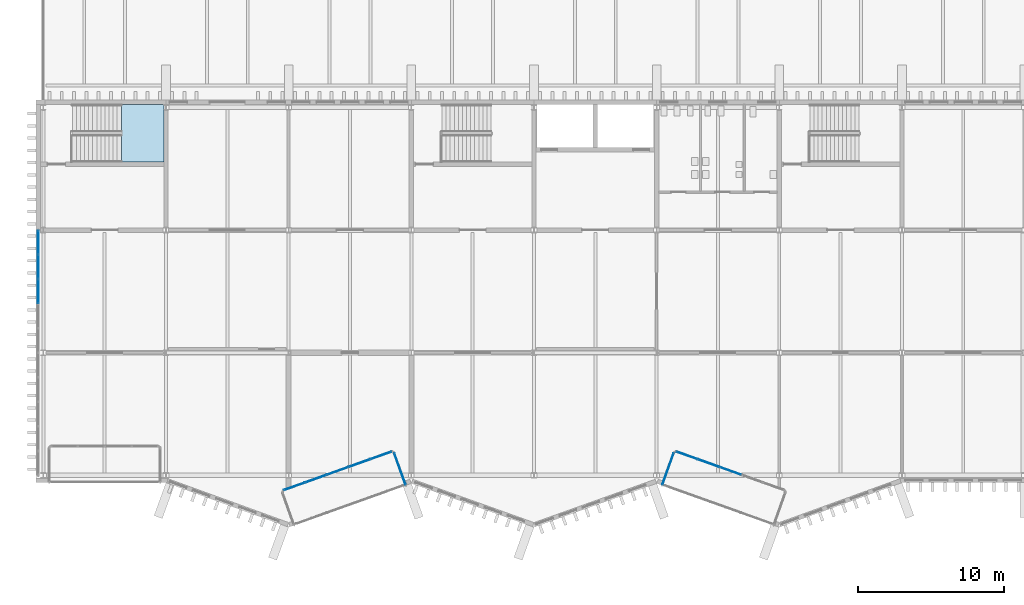
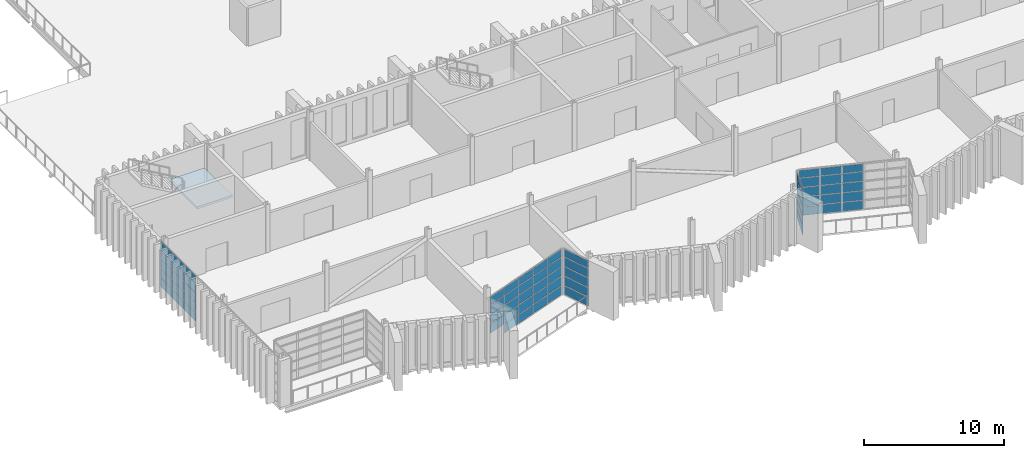
# One storey, part 46 of 96: 64 plates, 1 slab, 6 elements without a shape of their own.
"""IFC4 building model written with IfcOpenShell, lengths in metres."""

import ifcopenshell
import ifcopenshell.guid

model = None  # the IFC model being written
_history = None  # IfcOwnerHistory: only IFC2X3 demands one
_inside = {}  # id of a spatial element -> (the spatial element, [elements in it])
_under = {}  # id of a project, library or spatial element -> (it, [spatial elements below it])
_declared = {}  # id of a project -> (the project, [libraries it declares])
_typed = {}  # id of a type object -> (the type object, [elements of that type])
_made_of = {}  # id of a material, layer set ... -> (it, [elements and type objects made of it])


def new_model(schema):
    """Start an empty IFC model of exactly this schema.

    Asked for "IFC4X3", IfcOpenShell would pick the latest addendum, in which some entities
    have other attributes; the version numbers below select the first issue.
    IFC2X3 requires an IfcOwnerHistory on every rooted entity: one is made here for all.
    """
    global model, _history
    if schema == "IFC4X3":
        model = ifcopenshell.file(schema_version=(4, 3, 0, 0))
    else:
        model = ifcopenshell.file(schema=schema)
    _inside.clear()
    _under.clear()
    _declared.clear()
    _typed.clear()
    _made_of.clear()
    _history = None
    if model.schema == "IFC2X3":
        org = make("IfcOrganization", Name="unknown")
        user = make(
            "IfcPersonAndOrganization",
            ThePerson=make("IfcPerson", FamilyName="unknown"),
            TheOrganization=org,
        )
        app = make(
            "IfcApplication",
            ApplicationDeveloper=org,
            Version="unknown",
            ApplicationFullName="unknown",
            ApplicationIdentifier="unknown",
        )
        _history = make(
            "IfcOwnerHistory",
            OwningUser=user,
            OwningApplication=app,
            ChangeAction="ADDED",
            CreationDate=0,
        )
    return model


def make(cls, **values):
    """One entity of the class cls with the attributes given. An attribute that is None is left unset."""
    return model.create_entity(
        cls, **{name: value for name, value in values.items() if value is not None}
    )


def rooted(cls, **values):
    """An entity with a GlobalId (a new one), such as an element, a storey or a relation."""
    return make(cls, GlobalId=ifcopenshell.guid.new(), OwnerHistory=_history, **values)


def si_unit(unit_type, name, prefix=None):
    """IfcSIUnit, for example si_unit("LENGTHUNIT", "METRE", prefix="MILLI")."""
    return make("IfcSIUnit", UnitType=unit_type, Prefix=prefix, Name=name)


def assignment(units):
    """IfcUnitAssignment: the units of a project."""
    return None if units is None else make("IfcUnitAssignment", Units=units)


def point(xyz):
    """IfcCartesianPoint."""
    return None if xyz is None else make("IfcCartesianPoint", Coordinates=xyz)


def direction(xyz):
    """IfcDirection."""
    return None if xyz is None else make("IfcDirection", DirectionRatios=xyz)


def frame(location, z_axis=None, x_axis=None):
    """IfcAxis2Placement3D, a coordinate frame: its origin and axes. An axis left out is left unset."""
    return make(
        "IfcAxis2Placement3D",
        Location=point(location),
        Axis=direction(z_axis),
        RefDirection=direction(x_axis),
    )


def frame_2d(location, x_axis=None):
    """IfcAxis2Placement2D, a coordinate frame in the plane: its origin and x axis."""
    return make(
        "IfcAxis2Placement2D", Location=point(location), RefDirection=direction(x_axis)
    )


def origin():
    """The frame at (0, 0, 0) with its axes left unset."""
    return frame((0.0, 0.0, 0.0))


def origin_2d():
    """The frame at (0, 0) in the plane with its x axis left unset."""
    return frame_2d((0.0, 0.0))


def place(relative_to, where):
    """IfcLocalPlacement: puts the frame where relative to a parent placement (None: the world)."""
    return make(
        "IfcLocalPlacement", PlacementRelTo=relative_to, RelativePlacement=where
    )


def context(
    kind, dimensions, precision=None, world=None, true_north=None, identifier=None
):
    """IfcGeometricRepresentationContext, for example the 3D "Model" context."""
    return make(
        "IfcGeometricRepresentationContext",
        ContextIdentifier=identifier,
        ContextType=kind,
        CoordinateSpaceDimension=dimensions,
        Precision=precision,
        WorldCoordinateSystem=world,
        TrueNorth=true_north,
    )


def subcontext(parent, identifier, kind, view, scale=None):
    """IfcGeometricRepresentationSubContext, for example "Body" below "Model"."""
    return make(
        "IfcGeometricRepresentationSubContext",
        ContextIdentifier=identifier,
        ContextType=kind,
        ParentContext=parent,
        TargetScale=scale,
        TargetView=view,
    )


def project(units=None, contexts=None):
    """IfcProject with its units and contexts."""
    return rooted(
        "IfcProject",
        Name="project",
        RepresentationContexts=contexts,
        UnitsInContext=assignment(units),
    )


def spatial(cls, under=None, at=None, **own):
    """A site, building, storey or space (cls), placed at a placement, below another one or the project."""
    s = rooted(cls, ObjectPlacement=at, **own)
    if under is not None:
        _under.setdefault(under.id(), (under, []))[1].append(s)
    return s


def polyline(points):
    """IfcPolyline through the points."""
    return make("IfcPolyline", Points=[point(p) for p in points])


def profile(cls, at=None, kind="AREA", **sizes):
    """A parametric profile (cls). Its sizes go by their IFC names, for example OverallWidth=200.0."""
    return make(cls, ProfileType=kind, Position=at, **sizes)


def rectangle(**sizes):
    """IfcRectangleProfileDef."""
    return profile("IfcRectangleProfileDef", **sizes)


def outline(outer, holes=None, kind="AREA"):
    """IfcArbitraryClosedProfileDef: a profile drawn as a closed curve; with holes, ...WithVoids."""
    if holes is None:
        return make("IfcArbitraryClosedProfileDef", ProfileType=kind, OuterCurve=outer)
    return make(
        "IfcArbitraryProfileDefWithVoids",
        ProfileType=kind,
        OuterCurve=outer,
        InnerCurves=holes,
    )


def extrude(swept, where, along, depth):
    """IfcExtrudedAreaSolid: the profile swept, set in the frame where, extruded along a direction by depth."""
    return make(
        "IfcExtrudedAreaSolid",
        SweptArea=swept,
        Position=where,
        ExtrudedDirection=direction(along),
        Depth=depth,
    )


def shape(context_of_items, identifier, shape_type, items):
    """IfcShapeRepresentation: the items that make up one representation, for example the "Body"."""
    return make(
        "IfcShapeRepresentation",
        ContextOfItems=context_of_items,
        RepresentationIdentifier=identifier,
        RepresentationType=shape_type,
        Items=items,
    )


def material(Name=None, Category=None):
    """IfcMaterial."""
    return make("IfcMaterial", Name=Name, Category=Category)


def layer(
    of_material, thickness, ventilated=None, Name=None, Category=None, Priority=None
):
    """IfcMaterialLayer: one layer of a wall or slab, of a material (None: an air gap)."""
    return make(
        "IfcMaterialLayer",
        Material=of_material,
        LayerThickness=thickness,
        IsVentilated=ventilated,
        Name=Name,
        Category=Category,
        Priority=Priority,
    )


def layer_set(layers, Name=None):
    """IfcMaterialLayerSet."""
    return make("IfcMaterialLayerSet", MaterialLayers=layers, LayerSetName=Name)


def made_of(thing, what):
    """Note that an element or type object is made of a material, layer set ...; save() writes the relation."""
    if what is not None:
        _made_of.setdefault(what.id(), (what, []))[1].append(thing)
    return thing


def type_object(cls, material=None, **own):
    """A type object (cls), such as IfcWallType, which elements share."""
    return made_of(rooted(cls, **own), material)


def element(
    cls,
    number,
    at=None,
    inside=None,
    cuts=None,
    type_object=None,
    material=None,
    context=None,
    identifier="Body",
    shape_type=None,
    held_by="IfcProductDefinitionShape",
    body=None,
    shapes=None,
    **own,
):
    """One element of the class cls, such as IfcWall. Its Tag is "e" and its number.

    at: its placement. inside: the storey or other place that contains it. cuts: it is an
    opening in that element (IfcRelVoidsElement). A single representation is given by context,
    identifier, shape_type and body (its items); several are given by shapes. held_by: the class
    of the entity that holds the representations. save() writes the other relations.
    """
    e = rooted(cls, Tag="e%d" % number, ObjectPlacement=at, **own)
    if body is not None:
        shapes = [shape(context, identifier, shape_type, body)]
    if shapes is not None:
        e.Representation = make(held_by, Representations=shapes)
    if inside is not None:
        _inside.setdefault(inside.id(), (inside, []))[1].append(e)
    if cuts is not None:
        rooted(
            "IfcRelVoidsElement", RelatingBuildingElement=cuts, RelatedOpeningElement=e
        )
    if type_object is not None:
        _typed.setdefault(type_object.id(), (type_object, []))[1].append(e)
    return made_of(e, material)


def aggregate(whole, parts):
    """IfcRelAggregates: a whole, such as a stair, and the parts it consists of."""
    return rooted("IfcRelAggregates", RelatingObject=whole, RelatedObjects=parts)


def save(model, path):
    """Write the relations noted so far, then the file.

    IfcRelAggregates (storeys below a building ...), IfcRelContainedInSpatialStructure (elements
    in a storey), IfcRelDefinesByType, IfcRelAssociatesMaterial and IfcRelDeclares: one each for
    every whole, place, type object, material and project.
    """
    for whole, parts in _under.values():
        aggregate(whole, parts)
    for where, things in _inside.values():
        rooted(
            "IfcRelContainedInSpatialStructure",
            RelatedElements=things,
            RelatingStructure=where,
        )
    for kind, things in _typed.values():
        rooted("IfcRelDefinesByType", RelatedObjects=things, RelatingType=kind)
    for what, things in _made_of.values():
        rooted("IfcRelAssociatesMaterial", RelatedObjects=things, RelatingMaterial=what)
    for by, libraries in _declared.values():
        rooted("IfcRelDeclares", RelatingContext=by, RelatedDefinitions=libraries)
    model.write(path)


model = new_model("IFC4")

# Units and contexts
model_context = context("Model", 3, precision=1e-05, world=origin(), true_north=direction((0.0, 1.0)))
body_context = subcontext(model_context, "Body", "Model", "MODEL_VIEW")
ifc_project = project(units=[si_unit("LENGTHUNIT", "METRE"), si_unit("AREAUNIT", "SQUARE_METRE"), si_unit("VOLUMEUNIT", "CUBIC_METRE"), si_unit("PLANEANGLEUNIT", "RADIAN"), si_unit("MASSUNIT", "GRAM", prefix="KILO")], contexts=[model_context])

# Site, building, storey
site_placement = place(None, origin())
site = spatial("IfcSite", under=ifc_project, at=site_placement, CompositionType="ELEMENT")
building_placement = place(site_placement, origin())
building = spatial("IfcBuilding", under=site, at=building_placement, Name="Cresset Court Congress Hotel", CompositionType="ELEMENT")
storey_placement = place(building_placement, frame((0.0, 0.0, 6.0)))
storey = spatial("IfcBuildingStorey", under=building, at=storey_placement, Name="L01", CompositionType="ELEMENT", Elevation=6.0)

# Curtain wall, plates
ifc_material_1 = material(Name="Aluminium frame with double glazing", Category="aluminium")
ifc_layer_1 = layer(ifc_material_1, 0.199951171875)
ifc_layer_set_1 = layer_set([ifc_layer_1], Name="Glazed box curtain wall 1680 module")
curtain_wall_type = type_object("IfcCurtainWallType", Name="Glazed box curtain wall 1680 module", PredefinedType="NOTDEFINED", material=ifc_layer_set_1)
curtain_wall_1_placement = place(storey_placement, origin())
curtain_wall_1 = element("IfcCurtainWall", 1, at=curtain_wall_1_placement, inside=storey, type_object=curtain_wall_type, Name="Glazed box S0103 front", PredefinedType="NOTDEFINED")
ifc_material_2 = material(Name="Toughened double glazing", Category="glass")
ifc_layer_2 = layer(ifc_material_2, 0.028076171875)
ifc_layer_set_2 = layer_set([ifc_layer_2], Name="Box glass panel 28")
plate_type_1 = type_object("IfcPlateType", Name="Box glass panel 28", PredefinedType="CURTAIN_PANEL", material=ifc_layer_set_2)
plate_1_placement = place(storey_placement, frame((25.590087890625, -0.756103515625, 0.860107421875), z_axis=(0.0, 0.0, 1.0), x_axis=(0.941741911601, 0.336336396981, 0.0)))
plate_1 = element("IfcPlate", 2, at=plate_1_placement, type_object=plate_type_1, Name="B-X1 panel 1.2", PredefinedType="CURTAIN_PANEL", context=body_context, shape_type="SweptSolid", body=[
    extrude(rectangle(XDim=1.493896484375, YDim=0.028076171875, at=origin_2d()), origin(), (0.0, 0.0, 1.0), 0.77001953125),
])
plate_2_placement = place(storey_placement, frame((25.590087890625, -0.756103515625, 1.68994140625), z_axis=(0.0, 0.0, 1.0), x_axis=(0.941741911601, 0.336336396981, 0.0)))
plate_2 = element("IfcPlate", 3, at=plate_2_placement, type_object=plate_type_1, Name="B-X1 panel 1.3", PredefinedType="CURTAIN_PANEL", context=body_context, shape_type="SweptSolid", body=[
    extrude(rectangle(XDim=1.493896484375, YDim=0.028076171875, at=origin_2d()), origin(), (0.0, 0.0, 1.0), 0.77001953125),
])
plate_3_placement = place(storey_placement, frame((25.590087890625, -0.756103515625, 2.52001953125), z_axis=(0.0, 0.0, 1.0), x_axis=(0.941741911601, 0.336336396981, 0.0)))
plate_3 = element("IfcPlate", 4, at=plate_3_placement, type_object=plate_type_1, Name="B-X1 panel 1.4", PredefinedType="CURTAIN_PANEL", context=body_context, shape_type="SweptSolid", body=[
    extrude(rectangle(XDim=1.493896484375, YDim=0.028076171875, at=origin_2d()), origin(), (0.0, 0.0, 1.0), 0.77001953125),
])
plate_4_placement = place(storey_placement, frame((27.067626953125, -0.228271484375, 0.06005859375), z_axis=(0.0, 0.0, 1.0), x_axis=(0.941741911601, 0.336336396981, 0.0)))
plate_4 = element("IfcPlate", 5, at=plate_4_placement, type_object=plate_type_1, Name="B-X1 panel 2.1", PredefinedType="CURTAIN_PANEL", context=body_context, shape_type="SweptSolid", body=[
    extrude(rectangle(XDim=1.52392578125, YDim=0.028076171875, at=origin_2d()), origin(), (0.0, 0.0, 1.0), 0.739990234375),
])
plate_5_placement = place(storey_placement, frame((27.067626953125, -0.228271484375, 0.860107421875), z_axis=(0.0, 0.0, 1.0), x_axis=(0.941741911601, 0.336336396981, 0.0)))
plate_5 = element("IfcPlate", 6, at=plate_5_placement, type_object=plate_type_1, Name="B-X1 panel 2.2", PredefinedType="CURTAIN_PANEL", context=body_context, shape_type="SweptSolid", body=[
    extrude(rectangle(XDim=1.52392578125, YDim=0.028076171875, at=origin_2d()), origin(), (0.0, 0.0, 1.0), 0.77001953125),
])
plate_6_placement = place(storey_placement, frame((27.067626953125, -0.228271484375, 1.68994140625), z_axis=(0.0, 0.0, 1.0), x_axis=(0.941741911601, 0.336336396981, 0.0)))
plate_6 = element("IfcPlate", 7, at=plate_6_placement, type_object=plate_type_1, Name="B-X1 panel 2.3", PredefinedType="CURTAIN_PANEL", context=body_context, shape_type="SweptSolid", body=[
    extrude(rectangle(XDim=1.52392578125, YDim=0.028076171875, at=origin_2d()), origin(), (0.0, 0.0, 1.0), 0.77001953125),
])
plate_7_placement = place(storey_placement, frame((27.067626953125, -0.228271484375, 2.52001953125), z_axis=(0.0, 0.0, 1.0), x_axis=(0.941741911601, 0.336336396981, 0.0)))
plate_7 = element("IfcPlate", 8, at=plate_7_placement, type_object=plate_type_1, Name="B-X1 panel 2.4", PredefinedType="CURTAIN_PANEL", context=body_context, shape_type="SweptSolid", body=[
    extrude(rectangle(XDim=1.52392578125, YDim=0.028076171875, at=origin_2d()), origin(), (0.0, 0.0, 1.0), 0.77001953125),
])
plate_8_placement = place(storey_placement, frame((28.55908203125, 0.304443359375, 0.06005859375), z_axis=(0.0, 0.0, 1.0), x_axis=(0.941741911601, 0.336336396981, 0.0)))
plate_8 = element("IfcPlate", 9, at=plate_8_placement, type_object=plate_type_1, Name="B-X1 panel 3.1", PredefinedType="CURTAIN_PANEL", context=body_context, shape_type="SweptSolid", body=[
    extrude(rectangle(XDim=1.52392578125, YDim=0.028076171875, at=origin_2d()), origin(), (0.0, 0.0, 1.0), 0.739990234375),
])
plate_9_placement = place(storey_placement, frame((28.55908203125, 0.304443359375, 0.860107421875), z_axis=(0.0, 0.0, 1.0), x_axis=(0.941741911601, 0.336336396981, 0.0)))
plate_9 = element("IfcPlate", 10, at=plate_9_placement, type_object=plate_type_1, Name="B-X1 panel 3.2", PredefinedType="CURTAIN_PANEL", context=body_context, shape_type="SweptSolid", body=[
    extrude(rectangle(XDim=1.52392578125, YDim=0.028076171875, at=origin_2d()), origin(), (0.0, 0.0, 1.0), 0.77001953125),
])
plate_10_placement = place(storey_placement, frame((28.55908203125, 0.304443359375, 1.68994140625), z_axis=(0.0, 0.0, 1.0), x_axis=(0.941741911601, 0.336336396981, 0.0)))
plate_10 = element("IfcPlate", 11, at=plate_10_placement, type_object=plate_type_1, Name="B-X1 panel 3.3", PredefinedType="CURTAIN_PANEL", context=body_context, shape_type="SweptSolid", body=[
    extrude(rectangle(XDim=1.52392578125, YDim=0.028076171875, at=origin_2d()), origin(), (0.0, 0.0, 1.0), 0.77001953125),
])
plate_11_placement = place(storey_placement, frame((28.55908203125, 0.304443359375, 2.52001953125), z_axis=(0.0, 0.0, 1.0), x_axis=(0.941741911601, 0.336336396981, 0.0)))
plate_11 = element("IfcPlate", 12, at=plate_11_placement, type_object=plate_type_1, Name="B-X1 panel 3.4", PredefinedType="CURTAIN_PANEL", context=body_context, shape_type="SweptSolid", body=[
    extrude(rectangle(XDim=1.52392578125, YDim=0.028076171875, at=origin_2d()), origin(), (0.0, 0.0, 1.0), 0.77001953125),
])
plate_12_placement = place(storey_placement, frame((30.05078125, 0.837158203125, 0.06005859375), z_axis=(0.0, 0.0, 1.0), x_axis=(0.941741911601, 0.336336396981, 0.0)))
plate_12 = element("IfcPlate", 13, at=plate_12_placement, type_object=plate_type_1, Name="B-X1 panel 4.1", PredefinedType="CURTAIN_PANEL", context=body_context, shape_type="SweptSolid", body=[
    extrude(rectangle(XDim=1.52392578125, YDim=0.028076171875, at=origin_2d()), origin(), (0.0, 0.0, 1.0), 0.739990234375),
])
plate_13_placement = place(storey_placement, frame((30.05078125, 0.837158203125, 0.860107421875), z_axis=(0.0, 0.0, 1.0), x_axis=(0.941741911601, 0.336336396981, 0.0)))
plate_13 = element("IfcPlate", 14, at=plate_13_placement, type_object=plate_type_1, Name="B-X1 panel 4.2", PredefinedType="CURTAIN_PANEL", context=body_context, shape_type="SweptSolid", body=[
    extrude(rectangle(XDim=1.52392578125, YDim=0.028076171875, at=origin_2d()), origin(), (0.0, 0.0, 1.0), 0.77001953125),
])
plate_14_placement = place(storey_placement, frame((30.05078125, 0.837158203125, 1.68994140625), z_axis=(0.0, 0.0, 1.0), x_axis=(0.941741911601, 0.336336396981, 0.0)))
plate_14 = element("IfcPlate", 15, at=plate_14_placement, type_object=plate_type_1, Name="B-X1 panel 4.3", PredefinedType="CURTAIN_PANEL", context=body_context, shape_type="SweptSolid", body=[
    extrude(rectangle(XDim=1.52392578125, YDim=0.028076171875, at=origin_2d()), origin(), (0.0, 0.0, 1.0), 0.77001953125),
])
plate_15_placement = place(storey_placement, frame((30.05078125, 0.837158203125, 2.52001953125), z_axis=(0.0, 0.0, 1.0), x_axis=(0.941741911601, 0.336336396981, 0.0)))
plate_15 = element("IfcPlate", 16, at=plate_15_placement, type_object=plate_type_1, Name="B-X1 panel 4.4", PredefinedType="CURTAIN_PANEL", context=body_context, shape_type="SweptSolid", body=[
    extrude(rectangle(XDim=1.52392578125, YDim=0.028076171875, at=origin_2d()), origin(), (0.0, 0.0, 1.0), 0.77001953125),
])
plate_16_placement = place(storey_placement, frame((31.5283203125, 1.36474609375, 0.06005859375), z_axis=(0.0, 0.0, 1.0), x_axis=(0.941741911601, 0.336336396981, 0.0)))
plate_16 = element("IfcPlate", 17, at=plate_16_placement, type_object=plate_type_1, Name="B-X1 panel 5.1", PredefinedType="CURTAIN_PANEL", context=body_context, shape_type="SweptSolid", body=[
    extrude(rectangle(XDim=1.493896484375, YDim=0.028076171875, at=origin_2d()), origin(), (0.0, 0.0, 1.0), 0.739990234375),
])
plate_17_placement = place(storey_placement, frame((31.5283203125, 1.36474609375, 0.860107421875), z_axis=(0.0, 0.0, 1.0), x_axis=(0.941741911601, 0.336336396981, 0.0)))
plate_17 = element("IfcPlate", 18, at=plate_17_placement, type_object=plate_type_1, Name="B-X1 panel 5.2", PredefinedType="CURTAIN_PANEL", context=body_context, shape_type="SweptSolid", body=[
    extrude(rectangle(XDim=1.493896484375, YDim=0.028076171875, at=origin_2d()), origin(), (0.0, 0.0, 1.0), 0.77001953125),
])
plate_18_placement = place(storey_placement, frame((31.5283203125, 1.36474609375, 1.68994140625), z_axis=(0.0, 0.0, 1.0), x_axis=(0.941741911601, 0.336336396981, 0.0)))
plate_18 = element("IfcPlate", 19, at=plate_18_placement, type_object=plate_type_1, Name="B-X1 panel 5.3", PredefinedType="CURTAIN_PANEL", context=body_context, shape_type="SweptSolid", body=[
    extrude(rectangle(XDim=1.493896484375, YDim=0.028076171875, at=origin_2d()), origin(), (0.0, 0.0, 1.0), 0.77001953125),
])
plate_19_placement = place(storey_placement, frame((31.5283203125, 1.36474609375, 2.52001953125), z_axis=(0.0, 0.0, 1.0), x_axis=(0.941741911601, 0.336336396981, 0.0)))
plate_19 = element("IfcPlate", 20, at=plate_19_placement, type_object=plate_type_1, Name="B-X1 panel 5.4", PredefinedType="CURTAIN_PANEL", context=body_context, shape_type="SweptSolid", body=[
    extrude(rectangle(XDim=1.493896484375, YDim=0.028076171875, at=origin_2d()), origin(), (0.0, 0.0, 1.0), 0.77001953125),
])

curtain_wall_2_placement = place(storey_placement, origin())
curtain_wall_2 = element("IfcCurtainWall", 21, at=curtain_wall_2_placement, inside=storey, type_object=curtain_wall_type, Name="Glazed box S0103 side", PredefinedType="NOTDEFINED")
plate_20_placement = place(storey_placement, frame((32.819580078125, 0.445556640625, 0.06005859375), z_axis=(0.0, 0.0, 1.0), x_axis=(-0.336336396685, 0.941741911707, 0.0)))
plate_20 = element("IfcPlate", 22, at=plate_20_placement, type_object=plate_type_1, Name="B-X1 panel 1.1", PredefinedType="CURTAIN_PANEL", context=body_context, shape_type="SweptSolid", body=[
    extrude(rectangle(XDim=2.280029296875, YDim=0.028076171875, at=origin_2d()), origin(), (0.0, 0.0, 1.0), 0.739990234375),
])
plate_21_placement = place(storey_placement, frame((32.819580078125, 0.445556640625, 0.860107421875), z_axis=(0.0, 0.0, 1.0), x_axis=(-0.336336396685, 0.941741911707, 0.0)))
plate_21 = element("IfcPlate", 23, at=plate_21_placement, type_object=plate_type_1, Name="B-X1 panel 1.2", PredefinedType="CURTAIN_PANEL", context=body_context, shape_type="SweptSolid", body=[
    extrude(rectangle(XDim=2.280029296875, YDim=0.028076171875, at=origin_2d()), origin(), (0.0, 0.0, 1.0), 0.77001953125),
])
plate_22_placement = place(storey_placement, frame((32.819580078125, 0.445556640625, 1.68994140625), z_axis=(0.0, 0.0, 1.0), x_axis=(-0.336336396685, 0.941741911707, 0.0)))
plate_22 = element("IfcPlate", 24, at=plate_22_placement, type_object=plate_type_1, Name="B-X1 panel 1.3", PredefinedType="CURTAIN_PANEL", context=body_context, shape_type="SweptSolid", body=[
    extrude(rectangle(XDim=2.280029296875, YDim=0.028076171875, at=origin_2d()), origin(), (0.0, 0.0, 1.0), 0.77001953125),
])
plate_23_placement = place(storey_placement, frame((32.819580078125, 0.445556640625, 2.52001953125), z_axis=(0.0, 0.0, 1.0), x_axis=(-0.336336396685, 0.941741911707, 0.0)))
plate_23 = element("IfcPlate", 25, at=plate_23_placement, type_object=plate_type_1, Name="B-X1 panel 1.4", PredefinedType="CURTAIN_PANEL", context=body_context, shape_type="SweptSolid", body=[
    extrude(rectangle(XDim=2.280029296875, YDim=0.028076171875, at=origin_2d()), origin(), (0.0, 0.0, 1.0), 0.77001953125),
])

curtain_wall_3_placement = place(storey_placement, origin())
curtain_wall_3 = element("IfcCurtainWall", 26, at=curtain_wall_3_placement, inside=storey, type_object=curtain_wall_type, Name="Glazed box S0106 front", PredefinedType="NOTDEFINED")
plate_24_placement = place(storey_placement, frame((52.4716796875, 1.36474609375, 0.06005859375), z_axis=(0.0, 0.0, 1.0), x_axis=(0.941741911601, -0.336336396981, 0.0)))
plate_24 = element("IfcPlate", 27, at=plate_24_placement, type_object=plate_type_1, Name="B-X1 panel 1.1", PredefinedType="CURTAIN_PANEL", context=body_context, shape_type="SweptSolid", body=[
    extrude(rectangle(XDim=1.493896484375, YDim=0.028076171875, at=origin_2d()), origin(), (0.0, 0.0, 1.0), 0.739990234375),
])
plate_25_placement = place(storey_placement, frame((52.4716796875, 1.36474609375, 0.860107421875), z_axis=(0.0, 0.0, 1.0), x_axis=(0.941741911601, -0.336336396981, 0.0)))
plate_25 = element("IfcPlate", 28, at=plate_25_placement, type_object=plate_type_1, Name="B-X1 panel 1.2", PredefinedType="CURTAIN_PANEL", context=body_context, shape_type="SweptSolid", body=[
    extrude(rectangle(XDim=1.493896484375, YDim=0.028076171875, at=origin_2d()), origin(), (0.0, 0.0, 1.0), 0.77001953125),
])
plate_26_placement = place(storey_placement, frame((52.4716796875, 1.36474609375, 1.68994140625), z_axis=(0.0, 0.0, 1.0), x_axis=(0.941741911601, -0.336336396981, 0.0)))
plate_26 = element("IfcPlate", 29, at=plate_26_placement, type_object=plate_type_1, Name="B-X1 panel 1.3", PredefinedType="CURTAIN_PANEL", context=body_context, shape_type="SweptSolid", body=[
    extrude(rectangle(XDim=1.493896484375, YDim=0.028076171875, at=origin_2d()), origin(), (0.0, 0.0, 1.0), 0.77001953125),
])
plate_27_placement = place(storey_placement, frame((52.4716796875, 1.36474609375, 2.52001953125), z_axis=(0.0, 0.0, 1.0), x_axis=(0.941741911601, -0.336336396981, 0.0)))
plate_27 = element("IfcPlate", 30, at=plate_27_placement, type_object=plate_type_1, Name="B-X1 panel 1.4", PredefinedType="CURTAIN_PANEL", context=body_context, shape_type="SweptSolid", body=[
    extrude(rectangle(XDim=1.493896484375, YDim=0.028076171875, at=origin_2d()), origin(), (0.0, 0.0, 1.0), 0.77001953125),
])
plate_28_placement = place(storey_placement, frame((53.94921875, 0.837158203125, 0.06005859375), z_axis=(0.0, 0.0, 1.0), x_axis=(0.941741911601, -0.336336396981, 0.0)))
plate_28 = element("IfcPlate", 31, at=plate_28_placement, type_object=plate_type_1, Name="B-X1 panel 2.1", PredefinedType="CURTAIN_PANEL", context=body_context, shape_type="SweptSolid", body=[
    extrude(rectangle(XDim=1.52392578125, YDim=0.028076171875, at=origin_2d()), origin(), (0.0, 0.0, 1.0), 0.739990234375),
])
plate_29_placement = place(storey_placement, frame((53.94921875, 0.837158203125, 0.860107421875), z_axis=(0.0, 0.0, 1.0), x_axis=(0.941741911601, -0.336336396981, 0.0)))
plate_29 = element("IfcPlate", 32, at=plate_29_placement, type_object=plate_type_1, Name="B-X1 panel 2.2", PredefinedType="CURTAIN_PANEL", context=body_context, shape_type="SweptSolid", body=[
    extrude(rectangle(XDim=1.52392578125, YDim=0.028076171875, at=origin_2d()), origin(), (0.0, 0.0, 1.0), 0.77001953125),
])
plate_30_placement = place(storey_placement, frame((53.94921875, 0.837158203125, 1.68994140625), z_axis=(0.0, 0.0, 1.0), x_axis=(0.941741911601, -0.336336396981, 0.0)))
plate_30 = element("IfcPlate", 33, at=plate_30_placement, type_object=plate_type_1, Name="B-X1 panel 2.3", PredefinedType="CURTAIN_PANEL", context=body_context, shape_type="SweptSolid", body=[
    extrude(rectangle(XDim=1.52392578125, YDim=0.028076171875, at=origin_2d()), origin(), (0.0, 0.0, 1.0), 0.77001953125),
])
plate_31_placement = place(storey_placement, frame((53.94921875, 0.837158203125, 2.52001953125), z_axis=(0.0, 0.0, 1.0), x_axis=(0.941741911601, -0.336336396981, 0.0)))
plate_31 = element("IfcPlate", 34, at=plate_31_placement, type_object=plate_type_1, Name="B-X1 panel 2.4", PredefinedType="CURTAIN_PANEL", context=body_context, shape_type="SweptSolid", body=[
    extrude(rectangle(XDim=1.52392578125, YDim=0.028076171875, at=origin_2d()), origin(), (0.0, 0.0, 1.0), 0.77001953125),
])
plate_32_placement = place(storey_placement, frame((55.44091796875, 0.304443359375, 0.06005859375), z_axis=(0.0, 0.0, 1.0), x_axis=(0.941741911601, -0.336336396981, 0.0)))
plate_32 = element("IfcPlate", 35, at=plate_32_placement, type_object=plate_type_1, Name="B-X1 panel 3.1", PredefinedType="CURTAIN_PANEL", context=body_context, shape_type="SweptSolid", body=[
    extrude(rectangle(XDim=1.52392578125, YDim=0.028076171875, at=origin_2d()), origin(), (0.0, 0.0, 1.0), 0.739990234375),
])
plate_33_placement = place(storey_placement, frame((55.44091796875, 0.304443359375, 0.860107421875), z_axis=(0.0, 0.0, 1.0), x_axis=(0.941741911601, -0.336336396981, 0.0)))
plate_33 = element("IfcPlate", 36, at=plate_33_placement, type_object=plate_type_1, Name="B-X1 panel 3.2", PredefinedType="CURTAIN_PANEL", context=body_context, shape_type="SweptSolid", body=[
    extrude(rectangle(XDim=1.52392578125, YDim=0.028076171875, at=origin_2d()), origin(), (0.0, 0.0, 1.0), 0.77001953125),
])
plate_34_placement = place(storey_placement, frame((55.44091796875, 0.304443359375, 1.68994140625), z_axis=(0.0, 0.0, 1.0), x_axis=(0.941741911601, -0.336336396981, 0.0)))
plate_34 = element("IfcPlate", 37, at=plate_34_placement, type_object=plate_type_1, Name="B-X1 panel 3.3", PredefinedType="CURTAIN_PANEL", context=body_context, shape_type="SweptSolid", body=[
    extrude(rectangle(XDim=1.52392578125, YDim=0.028076171875, at=origin_2d()), origin(), (0.0, 0.0, 1.0), 0.77001953125),
])
plate_35_placement = place(storey_placement, frame((55.44091796875, 0.304443359375, 2.52001953125), z_axis=(0.0, 0.0, 1.0), x_axis=(0.941741911601, -0.336336396981, 0.0)))
plate_35 = element("IfcPlate", 38, at=plate_35_placement, type_object=plate_type_1, Name="B-X1 panel 3.4", PredefinedType="CURTAIN_PANEL", context=body_context, shape_type="SweptSolid", body=[
    extrude(rectangle(XDim=1.52392578125, YDim=0.028076171875, at=origin_2d()), origin(), (0.0, 0.0, 1.0), 0.77001953125),
])

curtain_wall_4_placement = place(storey_placement, origin())
curtain_wall_4 = element("IfcCurtainWall", 39, at=curtain_wall_4_placement, inside=storey, type_object=curtain_wall_type, Name="Glazed box S0106 side", PredefinedType="NOTDEFINED")
plate_36_placement = place(storey_placement, frame((51.180419921875, 0.445556640625, 0.06005859375), z_axis=(0.0, 0.0, 1.0), x_axis=(0.336336396685, 0.941741911707, 0.0)))
plate_36 = element("IfcPlate", 40, at=plate_36_placement, type_object=plate_type_1, Name="B-X1 panel 1.1", PredefinedType="CURTAIN_PANEL", context=body_context, shape_type="SweptSolid", body=[
    extrude(rectangle(XDim=2.280029296875, YDim=0.028076171875, at=origin_2d()), origin(), (0.0, 0.0, 1.0), 0.739990234375),
])
plate_37_placement = place(storey_placement, frame((51.180419921875, 0.445556640625, 0.860107421875), z_axis=(0.0, 0.0, 1.0), x_axis=(0.336336396685, 0.941741911707, 0.0)))
plate_37 = element("IfcPlate", 41, at=plate_37_placement, type_object=plate_type_1, Name="B-X1 panel 1.2", PredefinedType="CURTAIN_PANEL", context=body_context, shape_type="SweptSolid", body=[
    extrude(rectangle(XDim=2.280029296875, YDim=0.028076171875, at=origin_2d()), origin(), (0.0, 0.0, 1.0), 0.77001953125),
])
plate_38_placement = place(storey_placement, frame((51.180419921875, 0.445556640625, 1.68994140625), z_axis=(0.0, 0.0, 1.0), x_axis=(0.336336396685, 0.941741911707, 0.0)))
plate_38 = element("IfcPlate", 42, at=plate_38_placement, type_object=plate_type_1, Name="B-X1 panel 1.3", PredefinedType="CURTAIN_PANEL", context=body_context, shape_type="SweptSolid", body=[
    extrude(rectangle(XDim=2.280029296875, YDim=0.028076171875, at=origin_2d()), origin(), (0.0, 0.0, 1.0), 0.77001953125),
])
plate_39_placement = place(storey_placement, frame((51.180419921875, 0.445556640625, 2.52001953125), z_axis=(0.0, 0.0, 1.0), x_axis=(0.336336396685, 0.941741911707, 0.0)))
plate_39 = element("IfcPlate", 43, at=plate_39_placement, type_object=plate_type_1, Name="B-X1 panel 1.4", PredefinedType="CURTAIN_PANEL", context=body_context, shape_type="SweptSolid", body=[
    extrude(rectangle(XDim=2.280029296875, YDim=0.028076171875, at=origin_2d()), origin(), (0.0, 0.0, 1.0), 0.77001953125),
])

curtain_wall_5_placement = place(storey_placement, origin())
curtain_wall_5 = element("IfcCurtainWall", 44, at=curtain_wall_5_placement, inside=storey, type_object=curtain_wall_type, Name="Foyer glazed front L01", PredefinedType="NOTDEFINED")
plate_40_placement = place(storey_placement, frame((8.050048828125, 12.60009765625, 0.06005859375), z_axis=(0.0, 0.0, 1.0), x_axis=(0.0, 1.0, 0.0)))
plate_40 = element("IfcPlate", 45, at=plate_40_placement, type_object=plate_type_1, Name="B-X1 panel 8.1", PredefinedType="CURTAIN_PANEL", context=body_context, shape_type="SweptSolid", body=[
    extrude(rectangle(XDim=1.6201171875, YDim=0.028076171875, at=origin_2d()), origin(), (0.0, 0.0, 1.0), 0.739990234375),
])
plate_41_placement = place(storey_placement, frame((8.050048828125, 12.60009765625, 0.860107421875), z_axis=(0.0, 0.0, 1.0), x_axis=(0.0, 1.0, 0.0)))
plate_41 = element("IfcPlate", 46, at=plate_41_placement, type_object=plate_type_1, Name="B-X1 panel 8.2", PredefinedType="CURTAIN_PANEL", context=body_context, shape_type="SweptSolid", body=[
    extrude(rectangle(XDim=1.6201171875, YDim=0.028076171875, at=origin_2d()), origin(), (0.0, 0.0, 1.0), 0.77001953125),
])
plate_42_placement = place(storey_placement, frame((8.050048828125, 12.60009765625, 1.68994140625), z_axis=(0.0, 0.0, 1.0), x_axis=(0.0, 1.0, 0.0)))
plate_42 = element("IfcPlate", 47, at=plate_42_placement, type_object=plate_type_1, Name="B-X1 panel 8.3", PredefinedType="CURTAIN_PANEL", context=body_context, shape_type="SweptSolid", body=[
    extrude(rectangle(XDim=1.6201171875, YDim=0.028076171875, at=origin_2d()), origin(), (0.0, 0.0, 1.0), 0.77001953125),
])
plate_43_placement = place(storey_placement, frame((8.050048828125, 12.60009765625, 2.52001953125), z_axis=(0.0, 0.0, 1.0), x_axis=(0.0, 1.0, 0.0)))
plate_43 = element("IfcPlate", 48, at=plate_43_placement, type_object=plate_type_1, Name="B-X1 panel 8.4", PredefinedType="CURTAIN_PANEL", context=body_context, shape_type="SweptSolid", body=[
    extrude(rectangle(XDim=1.6201171875, YDim=0.028076171875, at=origin_2d()), origin(), (0.0, 0.0, 1.0), 0.77001953125),
])
plate_44_placement = place(storey_placement, frame((8.050048828125, 14.280029296875, 0.06005859375), z_axis=(0.0, 0.0, 1.0), x_axis=(0.0, 1.0, 0.0)))
plate_44 = element("IfcPlate", 49, at=plate_44_placement, type_object=plate_type_1, Name="B-X1 panel 9.1", PredefinedType="CURTAIN_PANEL", context=body_context, shape_type="SweptSolid", body=[
    extrude(rectangle(XDim=1.6201171875, YDim=0.028076171875, at=origin_2d()), origin(), (0.0, 0.0, 1.0), 0.739990234375),
])
plate_45_placement = place(storey_placement, frame((8.050048828125, 14.280029296875, 0.860107421875), z_axis=(0.0, 0.0, 1.0), x_axis=(0.0, 1.0, 0.0)))
plate_45 = element("IfcPlate", 50, at=plate_45_placement, type_object=plate_type_1, Name="B-X1 panel 9.2", PredefinedType="CURTAIN_PANEL", context=body_context, shape_type="SweptSolid", body=[
    extrude(rectangle(XDim=1.6201171875, YDim=0.028076171875, at=origin_2d()), origin(), (0.0, 0.0, 1.0), 0.77001953125),
])
plate_46_placement = place(storey_placement, frame((8.050048828125, 14.280029296875, 1.68994140625), z_axis=(0.0, 0.0, 1.0), x_axis=(0.0, 1.0, 0.0)))
plate_46 = element("IfcPlate", 51, at=plate_46_placement, type_object=plate_type_1, Name="B-X1 panel 9.3", PredefinedType="CURTAIN_PANEL", context=body_context, shape_type="SweptSolid", body=[
    extrude(rectangle(XDim=1.6201171875, YDim=0.028076171875, at=origin_2d()), origin(), (0.0, 0.0, 1.0), 0.77001953125),
])
plate_47_placement = place(storey_placement, frame((8.050048828125, 14.280029296875, 2.52001953125), z_axis=(0.0, 0.0, 1.0), x_axis=(0.0, 1.0, 0.0)))
plate_47 = element("IfcPlate", 52, at=plate_47_placement, type_object=plate_type_1, Name="B-X1 panel 9.4", PredefinedType="CURTAIN_PANEL", context=body_context, shape_type="SweptSolid", body=[
    extrude(rectangle(XDim=1.6201171875, YDim=0.028076171875, at=origin_2d()), origin(), (0.0, 0.0, 1.0), 0.77001953125),
])
plate_48_placement = place(storey_placement, frame((8.050048828125, 15.945068359375, 0.06005859375), z_axis=(0.0, 0.0, 1.0), x_axis=(0.0, 1.0, 0.0)))
plate_48 = element("IfcPlate", 53, at=plate_48_placement, type_object=plate_type_1, Name="B-X1 panel 10.1", PredefinedType="CURTAIN_PANEL", context=body_context, shape_type="SweptSolid", body=[
    extrude(rectangle(XDim=1.590087890625, YDim=0.028076171875, at=origin_2d()), origin(), (0.0, 0.0, 1.0), 0.739990234375),
])
plate_49_placement = place(storey_placement, frame((8.050048828125, 15.945068359375, 0.860107421875), z_axis=(0.0, 0.0, 1.0), x_axis=(0.0, 1.0, 0.0)))
plate_49 = element("IfcPlate", 54, at=plate_49_placement, type_object=plate_type_1, Name="B-X1 panel 10.2", PredefinedType="CURTAIN_PANEL", context=body_context, shape_type="SweptSolid", body=[
    extrude(rectangle(XDim=1.590087890625, YDim=0.028076171875, at=origin_2d()), origin(), (0.0, 0.0, 1.0), 0.77001953125),
])
plate_50_placement = place(storey_placement, frame((8.050048828125, 15.945068359375, 1.68994140625), z_axis=(0.0, 0.0, 1.0), x_axis=(0.0, 1.0, 0.0)))
plate_50 = element("IfcPlate", 55, at=plate_50_placement, type_object=plate_type_1, Name="B-X1 panel 10.3", PredefinedType="CURTAIN_PANEL", context=body_context, shape_type="SweptSolid", body=[
    extrude(rectangle(XDim=1.590087890625, YDim=0.028076171875, at=origin_2d()), origin(), (0.0, 0.0, 1.0), 0.77001953125),
])
plate_51_placement = place(storey_placement, frame((8.050048828125, 15.945068359375, 2.52001953125), z_axis=(0.0, 0.0, 1.0), x_axis=(0.0, 1.0, 0.0)))
plate_51 = element("IfcPlate", 56, at=plate_51_placement, type_object=plate_type_1, Name="B-X1 panel 10.4", PredefinedType="CURTAIN_PANEL", context=body_context, shape_type="SweptSolid", body=[
    extrude(rectangle(XDim=1.590087890625, YDim=0.028076171875, at=origin_2d()), origin(), (0.0, 0.0, 1.0), 0.77001953125),
])

# Plate
ifc_material_3 = material(Name="Insulated aluminium spandrel panel", Category="aluminium")
ifc_layer_3 = layer(ifc_material_3, 0.0400390625)
ifc_layer_set_3 = layer_set([ifc_layer_3], Name="Box spandrel panel 40")
plate_type_2 = type_object("IfcPlateType", Name="Box spandrel panel 40", PredefinedType="CURTAIN_PANEL", material=ifc_layer_set_3)
plate_52_placement = place(storey_placement, frame((25.590087890625, -0.756103515625, 3.35009765625), z_axis=(0.0, 0.0, 1.0), x_axis=(0.941741911601, 0.336336396981, 0.0)))
plate_52 = element("IfcPlate", 57, at=plate_52_placement, type_object=plate_type_2, Name="B-X1 spandrel panel 1.5", PredefinedType="CURTAIN_PANEL", context=body_context, shape_type="SweptSolid", body=[
    extrude(rectangle(XDim=1.493896484375, YDim=0.0400390625, at=origin_2d()), origin(), (0.0, 0.0, 1.0), 0.639892578125),
])

plate_53_placement = place(storey_placement, frame((27.067626953125, -0.228271484375, 3.35009765625), z_axis=(0.0, 0.0, 1.0), x_axis=(0.941741911601, 0.336336396981, 0.0)))
plate_53 = element("IfcPlate", 58, at=plate_53_placement, type_object=plate_type_2, Name="B-X1 spandrel panel 2.5", PredefinedType="CURTAIN_PANEL", context=body_context, shape_type="SweptSolid", body=[
    extrude(rectangle(XDim=1.52392578125, YDim=0.0400390625, at=origin_2d()), origin(), (0.0, 0.0, 1.0), 0.639892578125),
])

plate_54_placement = place(storey_placement, frame((28.55908203125, 0.304443359375, 3.35009765625), z_axis=(0.0, 0.0, 1.0), x_axis=(0.941741911601, 0.336336396981, 0.0)))
plate_54 = element("IfcPlate", 59, at=plate_54_placement, type_object=plate_type_2, Name="B-X1 spandrel panel 3.5", PredefinedType="CURTAIN_PANEL", context=body_context, shape_type="SweptSolid", body=[
    extrude(rectangle(XDim=1.52392578125, YDim=0.0400390625, at=origin_2d()), origin(), (0.0, 0.0, 1.0), 0.639892578125),
])

plate_55_placement = place(storey_placement, frame((30.05078125, 0.837158203125, 3.35009765625), z_axis=(0.0, 0.0, 1.0), x_axis=(0.941741911601, 0.336336396981, 0.0)))
plate_55 = element("IfcPlate", 60, at=plate_55_placement, type_object=plate_type_2, Name="B-X1 spandrel panel 4.5", PredefinedType="CURTAIN_PANEL", context=body_context, shape_type="SweptSolid", body=[
    extrude(rectangle(XDim=1.52392578125, YDim=0.0400390625, at=origin_2d()), origin(), (0.0, 0.0, 1.0), 0.639892578125),
])

plate_56_placement = place(storey_placement, frame((31.5283203125, 1.36474609375, 3.35009765625), z_axis=(0.0, 0.0, 1.0), x_axis=(0.941741911601, 0.336336396981, 0.0)))
plate_56 = element("IfcPlate", 61, at=plate_56_placement, type_object=plate_type_2, Name="B-X1 spandrel panel 5.5", PredefinedType="CURTAIN_PANEL", context=body_context, shape_type="SweptSolid", body=[
    extrude(rectangle(XDim=1.493896484375, YDim=0.0400390625, at=origin_2d()), origin(), (0.0, 0.0, 1.0), 0.639892578125),
])

aggregate(curtain_wall_1, [plate_1, plate_2, plate_3, plate_52, plate_4, plate_5, plate_6, plate_7, plate_53, plate_8, plate_9, plate_10, plate_11, plate_54, plate_12, plate_13, plate_14, plate_15, plate_55, plate_16, plate_17, plate_18, plate_19, plate_56])

plate_57_placement = place(storey_placement, frame((32.819580078125, 0.445556640625, 3.35009765625), z_axis=(0.0, 0.0, 1.0), x_axis=(-0.336336396685, 0.941741911707, 0.0)))
plate_57 = element("IfcPlate", 62, at=plate_57_placement, type_object=plate_type_2, Name="B-X1 spandrel panel 1.5", PredefinedType="CURTAIN_PANEL", context=body_context, shape_type="SweptSolid", body=[
    extrude(rectangle(XDim=2.280029296875, YDim=0.0400390625, at=origin_2d()), origin(), (0.0, 0.0, 1.0), 0.639892578125),
])

aggregate(curtain_wall_2, [plate_20, plate_21, plate_22, plate_23, plate_57])

plate_58_placement = place(storey_placement, frame((52.4716796875, 1.36474609375, 3.35009765625), z_axis=(0.0, 0.0, 1.0), x_axis=(0.941741911601, -0.336336396981, 0.0)))
plate_58 = element("IfcPlate", 63, at=plate_58_placement, type_object=plate_type_2, Name="B-X1 spandrel panel 1.5", PredefinedType="CURTAIN_PANEL", context=body_context, shape_type="SweptSolid", body=[
    extrude(rectangle(XDim=1.493896484375, YDim=0.0400390625, at=origin_2d()), origin(), (0.0, 0.0, 1.0), 0.639892578125),
])

plate_59_placement = place(storey_placement, frame((53.94921875, 0.837158203125, 3.35009765625), z_axis=(0.0, 0.0, 1.0), x_axis=(0.941741911601, -0.336336396981, 0.0)))
plate_59 = element("IfcPlate", 64, at=plate_59_placement, type_object=plate_type_2, Name="B-X1 spandrel panel 2.5", PredefinedType="CURTAIN_PANEL", context=body_context, shape_type="SweptSolid", body=[
    extrude(rectangle(XDim=1.52392578125, YDim=0.0400390625, at=origin_2d()), origin(), (0.0, 0.0, 1.0), 0.639892578125),
])

plate_60_placement = place(storey_placement, frame((55.44091796875, 0.304443359375, 3.35009765625), z_axis=(0.0, 0.0, 1.0), x_axis=(0.941741911601, -0.336336396981, 0.0)))
plate_60 = element("IfcPlate", 65, at=plate_60_placement, type_object=plate_type_2, Name="B-X1 spandrel panel 3.5", PredefinedType="CURTAIN_PANEL", context=body_context, shape_type="SweptSolid", body=[
    extrude(rectangle(XDim=1.52392578125, YDim=0.0400390625, at=origin_2d()), origin(), (0.0, 0.0, 1.0), 0.639892578125),
])

aggregate(curtain_wall_3, [plate_24, plate_25, plate_26, plate_27, plate_58, plate_28, plate_29, plate_30, plate_31, plate_59, plate_32, plate_33, plate_34, plate_35, plate_60])

plate_61_placement = place(storey_placement, frame((51.180419921875, 0.445556640625, 3.35009765625), z_axis=(0.0, 0.0, 1.0), x_axis=(0.336336396685, 0.941741911707, 0.0)))
plate_61 = element("IfcPlate", 66, at=plate_61_placement, type_object=plate_type_2, Name="B-X1 spandrel panel 1.5", PredefinedType="CURTAIN_PANEL", context=body_context, shape_type="SweptSolid", body=[
    extrude(rectangle(XDim=2.280029296875, YDim=0.0400390625, at=origin_2d()), origin(), (0.0, 0.0, 1.0), 0.639892578125),
])

aggregate(curtain_wall_4, [plate_36, plate_37, plate_38, plate_39, plate_61])

plate_62_placement = place(storey_placement, frame((8.050048828125, 12.60009765625, 3.35009765625), z_axis=(0.0, 0.0, 1.0), x_axis=(0.0, 1.0, 0.0)))
plate_62 = element("IfcPlate", 67, at=plate_62_placement, type_object=plate_type_2, Name="B-X1 spandrel panel 8.5", PredefinedType="CURTAIN_PANEL", context=body_context, shape_type="SweptSolid", body=[
    extrude(rectangle(XDim=1.6201171875, YDim=0.0400390625, at=origin_2d()), origin(), (0.0, 0.0, 1.0), 0.639892578125),
])

plate_63_placement = place(storey_placement, frame((8.050048828125, 14.280029296875, 3.35009765625), z_axis=(0.0, 0.0, 1.0), x_axis=(0.0, 1.0, 0.0)))
plate_63 = element("IfcPlate", 68, at=plate_63_placement, type_object=plate_type_2, Name="B-X1 spandrel panel 9.5", PredefinedType="CURTAIN_PANEL", context=body_context, shape_type="SweptSolid", body=[
    extrude(rectangle(XDim=1.6201171875, YDim=0.0400390625, at=origin_2d()), origin(), (0.0, 0.0, 1.0), 0.639892578125),
])

plate_64_placement = place(storey_placement, frame((8.050048828125, 15.945068359375, 3.35009765625), z_axis=(0.0, 0.0, 1.0), x_axis=(0.0, 1.0, 0.0)))
plate_64 = element("IfcPlate", 69, at=plate_64_placement, type_object=plate_type_2, Name="B-X1 spandrel panel 10.5", PredefinedType="CURTAIN_PANEL", context=body_context, shape_type="SweptSolid", body=[
    extrude(rectangle(XDim=1.590087890625, YDim=0.0400390625, at=origin_2d()), origin(), (0.0, 0.0, 1.0), 0.639892578125),
])

aggregate(curtain_wall_5, [plate_40, plate_41, plate_42, plate_43, plate_62, plate_44, plate_45, plate_46, plate_47, plate_63, plate_48, plate_49, plate_50, plate_51, plate_64])

# Stair, slab
ifc_material_4 = material(Name="Concrete C40", Category="concrete")
stair_type = type_object("IfcStairType", Name="Dog-leg stair 1400 flights", PredefinedType="HALF_TURN_STAIR", material=ifc_material_4)
stair_placement = place(storey_placement, origin())
stair = element("IfcStair", 70, at=stair_placement, inside=storey, type_object=stair_type, Name="L01 Stair ST-B1", PredefinedType="HALF_TURN_STAIR")
ifc_material_5 = material(Name="Concrete C40", Category="concrete")
ifc_layer_4 = layer(ifc_material_5, 0.199951171875)
ifc_layer_set_4 = layer_set([ifc_layer_4], Name="Stair landing 200")
slab_type = type_object("IfcSlabType", Name="Stair landing 200", PredefinedType="LANDING", material=ifc_layer_set_4)
slab_placement = place(storey_placement, frame((0.0, 0.0, 1.89990234375)))
slab = element("IfcSlab", 71, at=slab_placement, type_object=slab_type, Name="ST-B1 landing 1", PredefinedType="LANDING", context=body_context, shape_type="SweptSolid", body=[
    extrude(outline(polyline([(13.739990234375, 21.449951171875), (16.64990234375, 21.449951171875), (16.64990234375, 25.39990234375), (13.739990234375, 25.39990234375), (13.739990234375, 21.449951171875)])), origin(), (0.0, 0.0, 1.0), 0.2001953125),
])
aggregate(stair, [slab])

save(model, "model.ifc")
